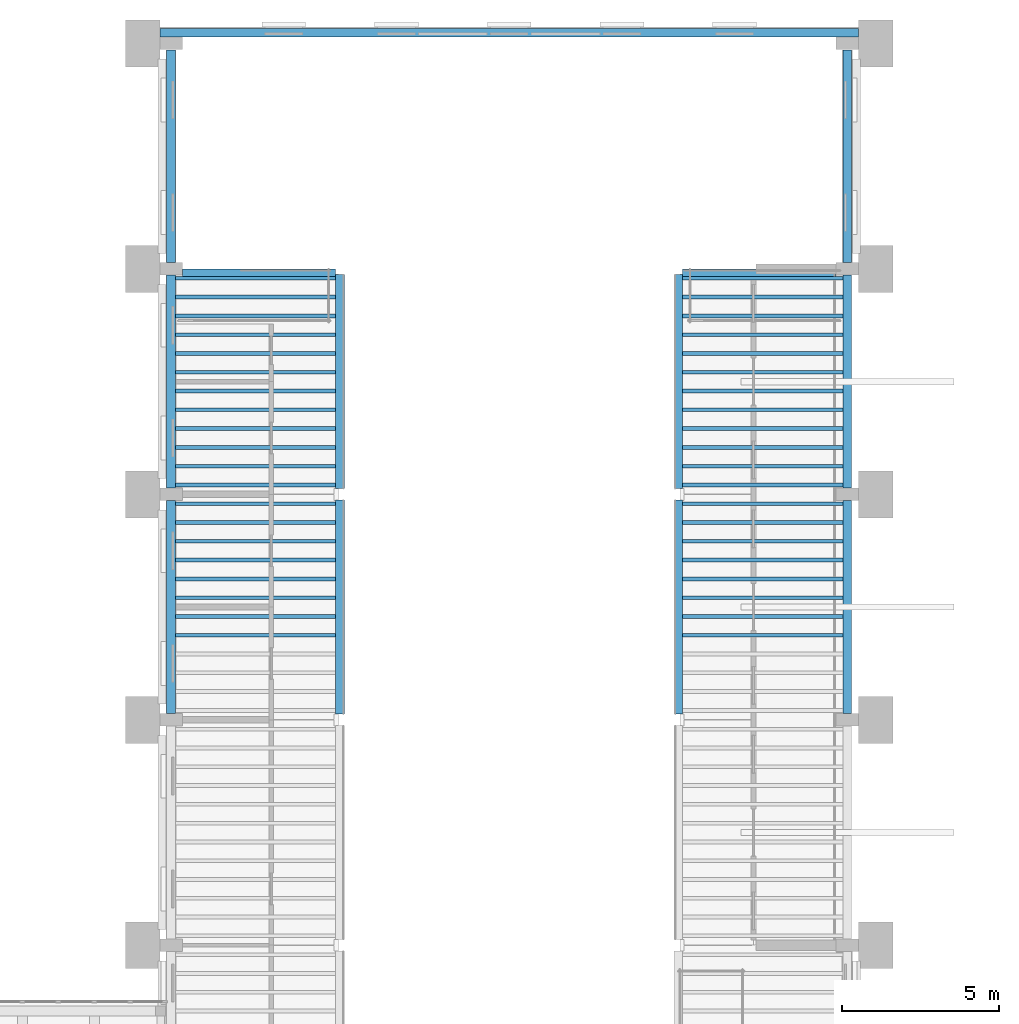
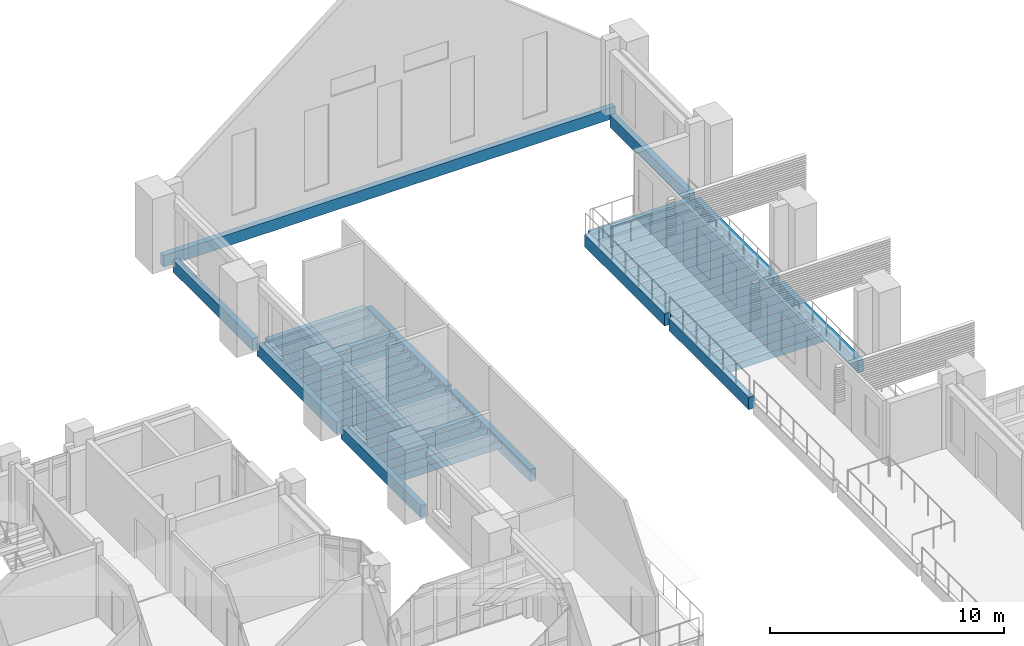
# One storey, part 10 of 69: 53 beams.
"""IFC4 building model written with IfcOpenShell, lengths in metres."""

from ifc_helpers import new_model, si_unit, direction, frame, origin, origin_2d, place, context, subcontext, project, spatial, rectangle, extrude, material, material_profile, profile_set, type_object, element, save


model = new_model("IFC4")

# Units and contexts
model_context = context("Model", 3, precision=1e-05, world=origin(), true_north=direction((0.0, 1.0)))
body_context = subcontext(model_context, "Body", "Model", "MODEL_VIEW")
ifc_project = project(units=[si_unit("LENGTHUNIT", "METRE"), si_unit("AREAUNIT", "SQUARE_METRE"), si_unit("VOLUMEUNIT", "CUBIC_METRE"), si_unit("PLANEANGLEUNIT", "RADIAN"), si_unit("MASSUNIT", "GRAM", prefix="KILO")], contexts=[model_context])

# Site, building, storey
site_placement = place(None, origin())
site = spatial("IfcSite", under=ifc_project, at=site_placement, CompositionType="ELEMENT")
building_placement = place(site_placement, origin())
building = spatial("IfcBuilding", under=site, at=building_placement, Name="Mazhai Court Health Centre", CompositionType="ELEMENT")
storey_placement = place(building_placement, frame((0.0, 0.0, 6.300048828125)))
storey = spatial("IfcBuildingStorey", under=building, at=storey_placement, Name="L01", CompositionType="ELEMENT", Elevation=6.300048828125)

# Beams
ifc_material_1 = material(Name="Glulam GL24h", Category="wood")
ifc_material_profile_1 = material_profile(ifc_material_1, rectangle(XDim=0.1201171875, YDim=0.360107421875, at=origin_2d()), Name="GL24h 120x360")
ifc_profile_set_1 = profile_set([ifc_material_profile_1], Name="Glulam GL24h")
beam_type_1 = type_object("IfcBeamType", Name="GL24h 120x360 joist", PredefinedType="JOIST", material=ifc_profile_set_1)
for number, where, z_axis, x_axis, name in (
    (1, (42.340087890625, 37.699951171875, -0.219970703125), (1.0, 0.0, 0.0), (0.0, 1.0, 0.0), "joist-V1-L01-W3-4"),
    (2, (42.340087890625, 38.300048828125, -0.219970703125), (1.0, 0.0, 0.0), (0.0, 1.0, 0.0), "joist-V1-L01-W3-5"),
    (3, (42.340087890625, 38.89990234375, -0.219970703125), (1.0, 0.0, 0.0), (0.0, 1.0, 0.0), "joist-V1-L01-W3-6"),
    (4, (42.340087890625, 39.5, -0.219970703125), (1.0, 0.0, 0.0), (0.0, 1.0, 0.0), "joist-V1-L01-W3-7"),
    (5, (42.340087890625, 40.10009765625, -0.219970703125), (1.0, 0.0, 0.0), (0.0, 1.0, 0.0), "joist-V1-L01-W3-8"),
    (6, (42.340087890625, 40.699951171875, -0.219970703125), (1.0, 0.0, 0.0), (0.0, 1.0, 0.0), "joist-V1-L01-W3-9"),
    (7, (42.340087890625, 41.300048828125, -0.219970703125), (1.0, 0.0, 0.0), (0.0, 1.0, 0.0), "joist-V1-L01-W3-10"),
    (8, (42.340087890625, 41.89990234375, -0.219970703125), (1.0, 0.0, 0.0), (0.0, 1.0, 0.0), "joist-V1-L01-W3-11"),
    (9, (42.340087890625, 42.5, -0.219970703125), (1.0, 0.0, 0.0), (0.0, 1.0, 0.0), "joist-V1-L01-W4-0"),
    (10, (42.340087890625, 43.10009765625, -0.219970703125), (1.0, 0.0, 0.0), (0.0, 1.0, 0.0), "joist-V1-L01-W4-1"),
    (11, (42.340087890625, 43.699951171875, -0.219970703125), (1.0, 0.0, 0.0), (0.0, 1.0, 0.0), "joist-V1-L01-W4-2"),
    (12, (42.340087890625, 44.300048828125, -0.219970703125), (1.0, 0.0, 0.0), (0.0, 1.0, 0.0), "joist-V1-L01-W4-3"),
    (13, (42.340087890625, 44.89990234375, -0.219970703125), (1.0, 0.0, 0.0), (0.0, 1.0, 0.0), "joist-V1-L01-W4-4"),
    (14, (42.340087890625, 45.5, -0.219970703125), (1.0, 0.0, 0.0), (0.0, 1.0, 0.0), "joist-V1-L01-W4-5"),
    (15, (42.340087890625, 46.10009765625, -0.219970703125), (1.0, 0.0, 0.0), (0.0, 1.0, 0.0), "joist-V1-L01-W4-6"),
    (16, (42.340087890625, 46.699951171875, -0.219970703125), (1.0, 0.0, 0.0), (0.0, 1.0, 0.0), "joist-V1-L01-W4-7"),
    (17, (42.340087890625, 47.300048828125, -0.219970703125), (1.0, 0.0, 0.0), (0.0, 1.0, 0.0), "joist-V1-L01-W4-8"),
    (18, (42.340087890625, 47.89990234375, -0.219970703125), (1.0, 0.0, 0.0), (0.0, 1.0, 0.0), "joist-V1-L01-W4-9"),
    (19, (42.340087890625, 48.5, -0.219970703125), (1.0, 0.0, 0.0), (0.0, 1.0, 0.0), "joist-V1-L01-W4-10"),
    (20, (42.340087890625, 49.10009765625, -0.219970703125), (1.0, 0.0, 0.0), (0.0, 1.0, 0.0), "joist-V1-L01-W4-11"),
    (21, (58.5400390625, 37.699951171875, -0.219970703125), (1.0, 0.0, 0.0), (0.0, 1.0, 0.0), "joist-V1-L01-E3-4"),
    (22, (58.5400390625, 38.300048828125, -0.219970703125), (1.0, 0.0, 0.0), (0.0, 1.0, 0.0), "joist-V1-L01-E3-5"),
    (23, (58.5400390625, 38.89990234375, -0.219970703125), (1.0, 0.0, 0.0), (0.0, 1.0, 0.0), "joist-V1-L01-E3-6"),
    (24, (58.5400390625, 39.5, -0.219970703125), (1.0, 0.0, 0.0), (0.0, 1.0, 0.0), "joist-V1-L01-E3-7"),
    (25, (58.5400390625, 40.10009765625, -0.219970703125), (1.0, 0.0, 0.0), (0.0, 1.0, 0.0), "joist-V1-L01-E3-8"),
    (26, (58.5400390625, 40.699951171875, -0.219970703125), (1.0, 0.0, 0.0), (0.0, 1.0, 0.0), "joist-V1-L01-E3-9"),
    (27, (58.5400390625, 41.300048828125, -0.219970703125), (1.0, 0.0, 0.0), (0.0, 1.0, 0.0), "joist-V1-L01-E3-10"),
    (28, (58.5400390625, 41.89990234375, -0.219970703125), (1.0, 0.0, 0.0), (0.0, 1.0, 0.0), "joist-V1-L01-E3-11"),
    (29, (58.5400390625, 42.5, -0.219970703125), (1.0, 0.0, 0.0), (0.0, 1.0, 0.0), "joist-V1-L01-E4-0"),
    (30, (58.5400390625, 43.10009765625, -0.219970703125), (1.0, 0.0, 0.0), (0.0, 1.0, 0.0), "joist-V1-L01-E4-1"),
    (31, (58.5400390625, 43.699951171875, -0.219970703125), (1.0, 0.0, 0.0), (0.0, 1.0, 0.0), "joist-V1-L01-E4-2"),
    (32, (58.5400390625, 44.300048828125, -0.219970703125), (1.0, 0.0, 0.0), (0.0, 1.0, 0.0), "joist-V1-L01-E4-3"),
    (33, (58.5400390625, 44.89990234375, -0.219970703125), (1.0, 0.0, 0.0), (0.0, 1.0, 0.0), "joist-V1-L01-E4-4"),
    (34, (58.5400390625, 45.5, -0.219970703125), (1.0, 0.0, 0.0), (0.0, 1.0, 0.0), "joist-V1-L01-E4-5"),
    (35, (58.5400390625, 46.10009765625, -0.219970703125), (1.0, 0.0, 0.0), (0.0, 1.0, 0.0), "joist-V1-L01-E4-6"),
    (36, (58.5400390625, 46.699951171875, -0.219970703125), (1.0, 0.0, 0.0), (0.0, 1.0, 0.0), "joist-V1-L01-E4-7"),
    (37, (58.5400390625, 47.300048828125, -0.219970703125), (1.0, 0.0, 0.0), (0.0, 1.0, 0.0), "joist-V1-L01-E4-8"),
    (38, (58.5400390625, 47.89990234375, -0.219970703125), (1.0, 0.0, 0.0), (0.0, 1.0, 0.0), "joist-V1-L01-E4-9"),
    (39, (58.5400390625, 48.5, -0.219970703125), (1.0, 0.0, 0.0), (0.0, 1.0, 0.0), "joist-V1-L01-E4-10"),
    (40, (58.5400390625, 49.10009765625, -0.219970703125), (1.0, 0.0, 0.0), (0.0, 1.0, 0.0), "joist-V1-L01-E4-11"),
):
    element("IfcBeam", number, at=place(storey_placement, frame(where, z_axis=z_axis, x_axis=x_axis)), inside=storey, type_object=beam_type_1, Name=name, PredefinedType="JOIST", context=body_context, shape_type="SweptSolid", body=[
        extrude(rectangle(XDim=0.1201171875, YDim=0.360107421875, at=origin_2d()), origin(), (0.0, 0.0, 1.0), 5.119873046875),
    ])
ifc_material_2 = material(Name="Glulam GL28h", Category="wood")
ifc_material_profile_2 = material_profile(ifc_material_2, rectangle(XDim=0.239990234375, YDim=0.639892578125, at=origin_2d()), Name="GL28h 240x640")
ifc_profile_set_2 = profile_set([ifc_material_profile_2], Name="Glulam GL28h")
beam_type_2 = type_object("IfcBeamType", Name="GL28h 240x640 trimmer", PredefinedType="BEAM", material=ifc_profile_set_2)
for number, where, z_axis, x_axis, name in (
    (41, (42.56005859375, 49.280029296875, -0.360107421875), (1.0, 0.0, 0.0), (0.0, 1.0, 0.0), "beam-hall-trimmer-ST11"),
    (42, (58.5400390625, 49.280029296875, -0.360107421875), (1.0, 0.0, 0.0), (0.0, 1.0, 0.0), "beam-hall-trimmer-ST12"),
):
    element("IfcBeam", number, at=place(storey_placement, frame(where, z_axis=z_axis, x_axis=x_axis)), inside=storey, type_object=beam_type_2, Name=name, PredefinedType="BEAM", context=body_context, shape_type="SweptSolid", body=[
        extrude(rectangle(XDim=0.239990234375, YDim=0.639892578125, at=origin_2d()), origin(), (0.0, 0.0, 1.0), 4.89990234375),
    ])
ifc_material_3 = material(Name="Glulam GL28h", Category="wood")
ifc_material_profile_3 = material_profile(ifc_material_3, rectangle(XDim=0.280029296875, YDim=0.60009765625, at=origin_2d()), Name="GL28h 280x600")
ifc_profile_set_3 = profile_set([ifc_material_profile_3], Name="Glulam GL28h")
beam_type_3 = type_object("IfcBeamType", Name="GL28h 280x600 beam", PredefinedType="BEAM", material=ifc_profile_set_3)
beam_1_placement = place(storey_placement, frame((41.840087890625, 56.93994140625, -0.300048828125), z_axis=(1.0, 0.0, 0.0), x_axis=(0.0, 1.0, 0.0)))
element("IfcBeam", 43, at=beam_1_placement, inside=storey, type_object=beam_type_3, Name="beam-V1-L01-N", PredefinedType="BEAM", context=body_context, shape_type="SweptSolid", body=[
    extrude(rectangle(XDim=0.280029296875, YDim=0.60009765625, at=origin_2d()), origin(), (0.0, 0.0, 1.0), 22.31982421875),
])
ifc_material_4 = material(Name="Glulam GL28h", Category="wood")
ifc_material_profile_4 = material_profile(ifc_material_4, rectangle(XDim=0.280029296875, YDim=0.639892578125, at=origin_2d()), Name="GL28h 280x640")
ifc_profile_set_4 = profile_set([ifc_material_profile_4], Name="Glulam GL28h")
beam_type_4 = type_object("IfcBeamType", Name="GL28h 280x640 beam", PredefinedType="BEAM", material=ifc_profile_set_4)
beam_2_placement = place(storey_placement, frame((42.199951171875, 35.199951171875, -0.360107421875), z_axis=(0.0, 1.0, 0.0), x_axis=(-1.0, 0.0, 0.0)))
element("IfcBeam", 44, at=beam_2_placement, inside=storey, type_object=beam_type_4, Name="beam-V1-L01-wW3", PredefinedType="BEAM", context=body_context, shape_type="SweptSolid", body=[
    extrude(rectangle(XDim=0.280029296875, YDim=0.639892578125, at=origin_2d()), origin(), (0.0, 0.0, 1.0), 6.800048828125),
])
beam_3_placement = place(storey_placement, frame((47.60009765625, 35.179931640625, -0.360107421875), z_axis=(0.0, 1.0, 0.0), x_axis=(-1.0, 0.0, 0.0)))
element("IfcBeam", 45, at=beam_3_placement, inside=storey, type_object=beam_type_4, Name="beam-V1-L01-aW3", PredefinedType="BEAM", context=body_context, shape_type="SweptSolid", body=[
    extrude(rectangle(XDim=0.280029296875, YDim=0.639892578125, at=origin_2d()), origin(), (0.0, 0.0, 1.0), 6.840087890625),
])
beam_4_placement = place(storey_placement, frame((42.199951171875, 42.39990234375, -0.360107421875), z_axis=(0.0, 1.0, 0.0), x_axis=(-1.0, 0.0, 0.0)))
element("IfcBeam", 46, at=beam_4_placement, inside=storey, type_object=beam_type_4, Name="beam-V1-L01-wW4", PredefinedType="BEAM", context=body_context, shape_type="SweptSolid", body=[
    extrude(rectangle(XDim=0.280029296875, YDim=0.639892578125, at=origin_2d()), origin(), (0.0, 0.0, 1.0), 6.800048828125),
])
beam_5_placement = place(storey_placement, frame((47.60009765625, 42.3798828125, -0.360107421875), z_axis=(0.0, 1.0, 0.0), x_axis=(-1.0, 0.0, 0.0)))
element("IfcBeam", 47, at=beam_5_placement, inside=storey, type_object=beam_type_4, Name="beam-V1-L01-aW4", PredefinedType="BEAM", context=body_context, shape_type="SweptSolid", body=[
    extrude(rectangle(XDim=0.280029296875, YDim=0.639892578125, at=origin_2d()), origin(), (0.0, 0.0, 1.0), 6.840087890625),
])
beam_6_placement = place(storey_placement, frame((63.800048828125, 35.199951171875, -0.360107421875), z_axis=(0.0, 1.0, 0.0), x_axis=(-1.0, 0.0, 0.0)))
element("IfcBeam", 48, at=beam_6_placement, inside=storey, type_object=beam_type_4, Name="beam-V1-L01-wE3", PredefinedType="BEAM", context=body_context, shape_type="SweptSolid", body=[
    extrude(rectangle(XDim=0.280029296875, YDim=0.639892578125, at=origin_2d()), origin(), (0.0, 0.0, 1.0), 6.800048828125),
])
beam_7_placement = place(storey_placement, frame((58.39990234375, 35.179931640625, -0.360107421875), z_axis=(0.0, 1.0, 0.0), x_axis=(-1.0, 0.0, 0.0)))
element("IfcBeam", 49, at=beam_7_placement, inside=storey, type_object=beam_type_4, Name="beam-V1-L01-aE3", PredefinedType="BEAM", context=body_context, shape_type="SweptSolid", body=[
    extrude(rectangle(XDim=0.280029296875, YDim=0.639892578125, at=origin_2d()), origin(), (0.0, 0.0, 1.0), 6.840087890625),
])
beam_8_placement = place(storey_placement, frame((63.800048828125, 42.39990234375, -0.360107421875), z_axis=(0.0, 1.0, 0.0), x_axis=(-1.0, 0.0, 0.0)))
element("IfcBeam", 50, at=beam_8_placement, inside=storey, type_object=beam_type_4, Name="beam-V1-L01-wE4", PredefinedType="BEAM", context=body_context, shape_type="SweptSolid", body=[
    extrude(rectangle(XDim=0.280029296875, YDim=0.639892578125, at=origin_2d()), origin(), (0.0, 0.0, 1.0), 6.800048828125),
])
beam_9_placement = place(storey_placement, frame((58.39990234375, 42.3798828125, -0.360107421875), z_axis=(0.0, 1.0, 0.0), x_axis=(-1.0, 0.0, 0.0)))
element("IfcBeam", 51, at=beam_9_placement, inside=storey, type_object=beam_type_4, Name="beam-V1-L01-aE4", PredefinedType="BEAM", context=body_context, shape_type="SweptSolid", body=[
    extrude(rectangle(XDim=0.280029296875, YDim=0.639892578125, at=origin_2d()), origin(), (0.0, 0.0, 1.0), 6.840087890625),
])
for number, where, z_axis, x_axis, name in (
    (52, (42.199951171875, 49.60009765625, -0.360107421875), (0.0, 1.0, 0.0), (-1.0, 0.0, 0.0), "beam-V1-L01-wW5"),
    (53, (63.800048828125, 49.60009765625, -0.360107421875), (0.0, 1.0, 0.0), (-1.0, 0.0, 0.0), "beam-V1-L01-wE5"),
):
    element("IfcBeam", number, at=place(storey_placement, frame(where, z_axis=z_axis, x_axis=x_axis)), inside=storey, type_object=beam_type_4, Name=name, PredefinedType="BEAM", context=body_context, shape_type="SweptSolid", body=[
        extrude(rectangle(XDim=0.280029296875, YDim=0.639892578125, at=origin_2d()), origin(), (0.0, 0.0, 1.0), 6.7998046875),
    ])

save(model, "model.ifc")
